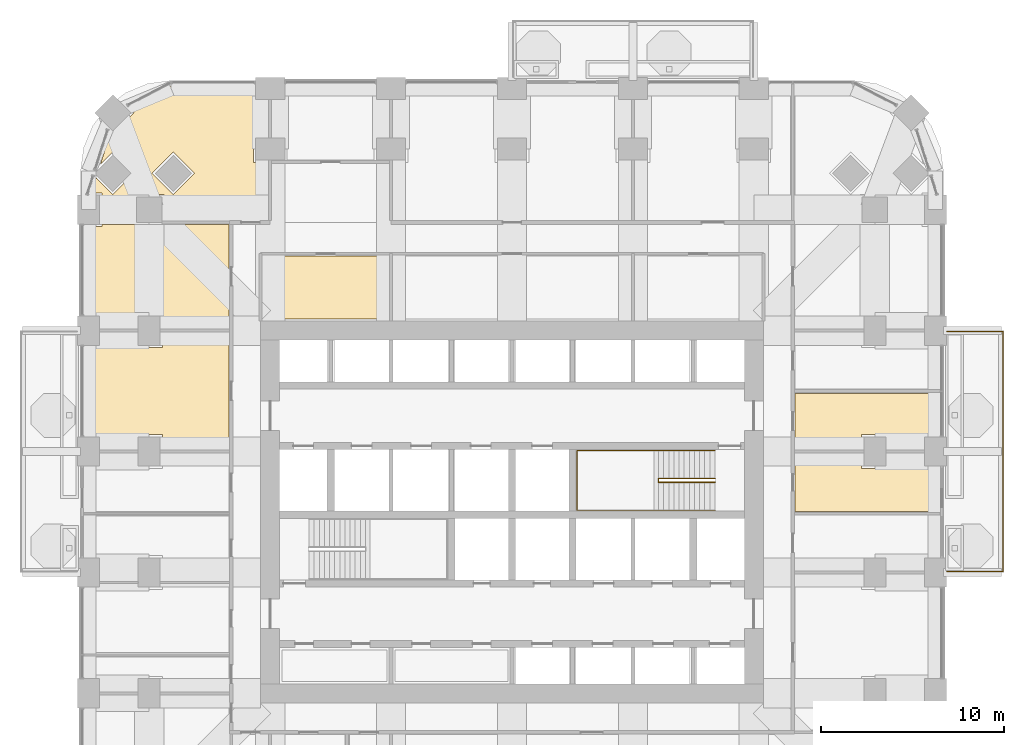
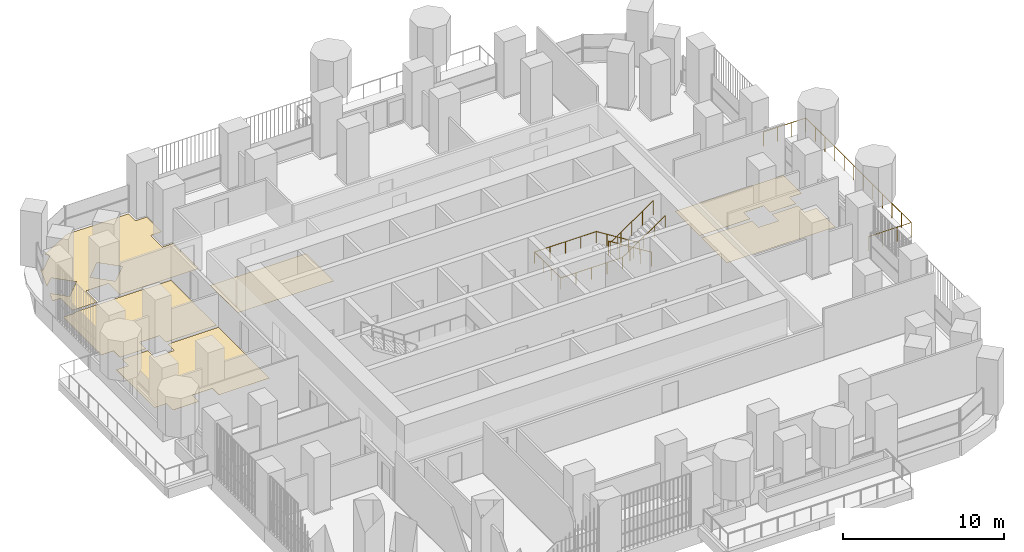
# One storey, part 20 of 22: 6 coverings, 3 railings.
"""IFC4 building model written with IfcOpenShell, lengths in metres."""

from ifc_helpers import new_model, si_unit, direction, frame, origin, place, context, subcontext, project, spatial, polyline, outline, extrude, material, layer, layer_set, type_object, element, save


model = new_model("IFC4")

# Units and contexts
model_context = context("Model", 3, precision=1e-05, world=origin(), true_north=direction((0.0, 1.0)))
body_context = subcontext(model_context, "Body", "Model", "MODEL_VIEW")
ifc_project = project(units=[si_unit("LENGTHUNIT", "METRE"), si_unit("AREAUNIT", "SQUARE_METRE"), si_unit("VOLUMEUNIT", "CUBIC_METRE"), si_unit("PLANEANGLEUNIT", "RADIAN"), si_unit("MASSUNIT", "GRAM", prefix="KILO")], contexts=[model_context])

# Site, building, storey
site_placement = place(None, origin())
site = spatial("IfcSite", under=ifc_project, at=site_placement, CompositionType="ELEMENT")
building_placement = place(site_placement, origin())
building = spatial("IfcBuilding", under=site, at=building_placement, Name="Cobogo Forest Laboratory Tower", CompositionType="ELEMENT")
storey_placement = place(building_placement, frame((0.0, 0.0, 145.199951171875)))
storey = spatial("IfcBuildingStorey", under=building, at=storey_placement, Name="L33", CompositionType="ELEMENT", Elevation=145.199951171875)

# Railing
ifc_material_1 = material(Name="Laminated glass balustrade", Category="glass")
railing_type_1 = type_object("IfcRailingType", Name="BG1 glass balustrade 1100", PredefinedType="GUARDRAIL", material=ifc_material_1)
railing_1_placement = place(storey_placement, frame((50.14990234375, 19.85009765625, 0.0)))
element("IfcRailing", 1, at=railing_1_placement, inside=storey, type_object=railing_type_1, Name="Balcony balustrade BAL-E1 L33", PredefinedType="GUARDRAIL", context=body_context, shape_type="SweptSolid", body=[
    extrude(outline(polyline([(0.022216796875, 0.00927734375), (0.00927734375, 0.022216796875), (-0.00927734375, 0.022216796875), (-0.022216796875, 0.00927734375), (-0.022216796875, -0.00927734375), (-0.00927734375, -0.022216796875), (0.00927734375, -0.022216796875), (0.022216796875, -0.00927734375), (0.022216796875, 0.00927734375)])), frame((0.0, 0.0, 1.077880859375), z_axis=(1.0, 0.0, 0.0), x_axis=(0.0, 1.0, 0.0)), (0.0, 0.0, 1.0), 3.050048828125),
    extrude(outline(polyline([(0.022216796875, 0.00927734375), (0.00927734375, 0.022216796875), (-0.00927734375, 0.022216796875), (-0.022216796875, 0.00927734375), (-0.022216796875, -0.00927734375), (-0.00927734375, -0.022216796875), (0.00927734375, -0.022216796875), (0.022216796875, -0.00927734375), (0.022216796875, 0.00927734375)])), frame((3.050048828125, 0.0, 1.077880859375), z_axis=(0.0, 1.0, 0.0), x_axis=(-1.0, 0.0, 0.0)), (0.0, 0.0, 1.0), 13.099853515625),
    extrude(outline(polyline([(0.022216796875, 0.00927734375), (0.00927734375, 0.022216796875), (-0.00927734375, 0.022216796875), (-0.022216796875, 0.00927734375), (-0.022216796875, -0.00927734375), (-0.00927734375, -0.022216796875), (0.00927734375, -0.022216796875), (0.022216796875, -0.00927734375), (0.022216796875, 0.00927734375)])), frame((3.050048828125, 13.099853515625, 1.077880859375), z_axis=(-1.0, 0.0, 0.0), x_axis=(0.0, -1.0, 0.0)), (0.0, 0.0, 1.0), 3.050048828125),
    extrude(outline(polyline([(0.019287109375, 0.008056640625), (0.008056640625, 0.019287109375), (-0.008056640625, 0.019287109375), (-0.019287109375, 0.008056640625), (-0.019287109375, -0.008056640625), (-0.008056640625, -0.019287109375), (0.008056640625, -0.019287109375), (0.019287109375, -0.008056640625), (0.019287109375, 0.008056640625)])), origin(), (0.0, 0.0, 1.0), 1.077880859375),
    extrude(outline(polyline([(0.019287109375, 0.008056640625), (0.008056640625, 0.019287109375), (-0.008056640625, 0.019287109375), (-0.019287109375, 0.008056640625), (-0.019287109375, -0.008056640625), (-0.008056640625, -0.019287109375), (0.008056640625, -0.019287109375), (0.019287109375, -0.008056640625), (0.019287109375, 0.008056640625)])), frame((1.0166015625, 0.0, 0.0)), (0.0, 0.0, 1.0), 1.077880859375),
    extrude(outline(polyline([(0.019287109375, 0.008056640625), (0.008056640625, 0.019287109375), (-0.008056640625, 0.019287109375), (-0.019287109375, 0.008056640625), (-0.019287109375, -0.008056640625), (-0.008056640625, -0.019287109375), (0.008056640625, -0.019287109375), (0.019287109375, -0.008056640625), (0.019287109375, 0.008056640625)])), frame((2.033447265625, 0.0, 0.0)), (0.0, 0.0, 1.0), 1.077880859375),
    extrude(outline(polyline([(0.019287109375, 0.008056640625), (0.008056640625, 0.019287109375), (-0.008056640625, 0.019287109375), (-0.019287109375, 0.008056640625), (-0.019287109375, -0.008056640625), (-0.008056640625, -0.019287109375), (0.008056640625, -0.019287109375), (0.019287109375, -0.008056640625), (0.019287109375, 0.008056640625)])), frame((3.050048828125, 0.0, 0.0)), (0.0, 0.0, 1.0), 1.077880859375),
    extrude(outline(polyline([(0.019287109375, 0.008056640625), (0.008056640625, 0.019287109375), (-0.008056640625, 0.019287109375), (-0.019287109375, 0.008056640625), (-0.019287109375, -0.008056640625), (-0.008056640625, -0.019287109375), (0.008056640625, -0.019287109375), (0.019287109375, -0.008056640625), (0.019287109375, 0.008056640625)])), frame((3.050048828125, 1.19091796875, 0.0)), (0.0, 0.0, 1.0), 1.077880859375),
    extrude(outline(polyline([(0.019287109375, 0.008056640625), (0.008056640625, 0.019287109375), (-0.008056640625, 0.019287109375), (-0.019287109375, 0.008056640625), (-0.019287109375, -0.008056640625), (-0.008056640625, -0.019287109375), (0.008056640625, -0.019287109375), (0.019287109375, -0.008056640625), (0.019287109375, 0.008056640625)])), frame((3.050048828125, 2.3818359375, 0.0)), (0.0, 0.0, 1.0), 1.077880859375),
    extrude(outline(polyline([(0.019287109375, 0.008056640625), (0.008056640625, 0.019287109375), (-0.008056640625, 0.019287109375), (-0.019287109375, 0.008056640625), (-0.019287109375, -0.008056640625), (-0.008056640625, -0.019287109375), (0.008056640625, -0.019287109375), (0.019287109375, -0.008056640625), (0.019287109375, 0.008056640625)])), frame((3.050048828125, 3.57275390625, 0.0)), (0.0, 0.0, 1.0), 1.077880859375),
    extrude(outline(polyline([(0.019287109375, 0.008056640625), (0.008056640625, 0.019287109375), (-0.008056640625, 0.019287109375), (-0.019287109375, 0.008056640625), (-0.019287109375, -0.008056640625), (-0.008056640625, -0.019287109375), (0.008056640625, -0.019287109375), (0.019287109375, -0.008056640625), (0.019287109375, 0.008056640625)])), frame((3.050048828125, 4.763671875, 0.0)), (0.0, 0.0, 1.0), 1.077880859375),
    extrude(outline(polyline([(0.019287109375, 0.008056640625), (0.008056640625, 0.019287109375), (-0.008056640625, 0.019287109375), (-0.019287109375, 0.008056640625), (-0.019287109375, -0.008056640625), (-0.008056640625, -0.019287109375), (0.008056640625, -0.019287109375), (0.019287109375, -0.008056640625), (0.019287109375, 0.008056640625)])), frame((3.050048828125, 5.95458984375, 0.0)), (0.0, 0.0, 1.0), 1.077880859375),
    extrude(outline(polyline([(0.019287109375, 0.008056640625), (0.008056640625, 0.019287109375), (-0.008056640625, 0.019287109375), (-0.019287109375, 0.008056640625), (-0.019287109375, -0.008056640625), (-0.008056640625, -0.019287109375), (0.008056640625, -0.019287109375), (0.019287109375, -0.008056640625), (0.019287109375, 0.008056640625)])), frame((3.050048828125, 7.145263671875, 0.0)), (0.0, 0.0, 1.0), 1.077880859375),
    extrude(outline(polyline([(0.019287109375, 0.008056640625), (0.008056640625, 0.019287109375), (-0.008056640625, 0.019287109375), (-0.019287109375, 0.008056640625), (-0.019287109375, -0.008056640625), (-0.008056640625, -0.019287109375), (0.008056640625, -0.019287109375), (0.019287109375, -0.008056640625), (0.019287109375, 0.008056640625)])), frame((3.050048828125, 8.336181640625, 0.0)), (0.0, 0.0, 1.0), 1.077880859375),
    extrude(outline(polyline([(0.019287109375, 0.008056640625), (0.008056640625, 0.019287109375), (-0.008056640625, 0.019287109375), (-0.019287109375, 0.008056640625), (-0.019287109375, -0.008056640625), (-0.008056640625, -0.019287109375), (0.008056640625, -0.019287109375), (0.019287109375, -0.008056640625), (0.019287109375, 0.008056640625)])), frame((3.050048828125, 9.527099609375, 0.0)), (0.0, 0.0, 1.0), 1.077880859375),
    extrude(outline(polyline([(0.019287109375, 0.008056640625), (0.008056640625, 0.019287109375), (-0.008056640625, 0.019287109375), (-0.019287109375, 0.008056640625), (-0.019287109375, -0.008056640625), (-0.008056640625, -0.019287109375), (0.008056640625, -0.019287109375), (0.019287109375, -0.008056640625), (0.019287109375, 0.008056640625)])), frame((3.050048828125, 10.718017578125, 0.0)), (0.0, 0.0, 1.0), 1.077880859375),
    extrude(outline(polyline([(0.019287109375, 0.008056640625), (0.008056640625, 0.019287109375), (-0.008056640625, 0.019287109375), (-0.019287109375, 0.008056640625), (-0.019287109375, -0.008056640625), (-0.008056640625, -0.019287109375), (0.008056640625, -0.019287109375), (0.019287109375, -0.008056640625), (0.019287109375, 0.008056640625)])), frame((3.050048828125, 11.908935546875, 0.0)), (0.0, 0.0, 1.0), 1.077880859375),
    extrude(outline(polyline([(0.019287109375, 0.008056640625), (0.008056640625, 0.019287109375), (-0.008056640625, 0.019287109375), (-0.019287109375, 0.008056640625), (-0.019287109375, -0.008056640625), (-0.008056640625, -0.019287109375), (0.008056640625, -0.019287109375), (0.019287109375, -0.008056640625), (0.019287109375, 0.008056640625)])), frame((3.050048828125, 13.099853515625, 0.0)), (0.0, 0.0, 1.0), 1.077880859375),
    extrude(outline(polyline([(0.019287109375, 0.008056640625), (0.008056640625, 0.019287109375), (-0.008056640625, 0.019287109375), (-0.019287109375, 0.008056640625), (-0.019287109375, -0.008056640625), (-0.008056640625, -0.019287109375), (0.008056640625, -0.019287109375), (0.019287109375, -0.008056640625), (0.019287109375, 0.008056640625)])), frame((2.033447265625, 13.099853515625, 0.0)), (0.0, 0.0, 1.0), 1.077880859375),
    extrude(outline(polyline([(0.019287109375, 0.008056640625), (0.008056640625, 0.019287109375), (-0.008056640625, 0.019287109375), (-0.019287109375, 0.008056640625), (-0.019287109375, -0.008056640625), (-0.008056640625, -0.019287109375), (0.008056640625, -0.019287109375), (0.019287109375, -0.008056640625), (0.019287109375, 0.008056640625)])), frame((1.0166015625, 13.099853515625, 0.0)), (0.0, 0.0, 1.0), 1.077880859375),
    extrude(outline(polyline([(0.019287109375, 0.008056640625), (0.008056640625, 0.019287109375), (-0.008056640625, 0.019287109375), (-0.019287109375, 0.008056640625), (-0.019287109375, -0.008056640625), (-0.008056640625, -0.019287109375), (0.008056640625, -0.019287109375), (0.019287109375, -0.008056640625), (0.019287109375, 0.008056640625)])), frame((0.0, 13.099853515625, 0.0)), (0.0, 0.0, 1.0), 1.077880859375),
])

# Coverings
ifc_material_2 = material(Name="Carpet tile on raised access floor", Category="flooring")
ifc_layer_1 = layer(ifc_material_2, 0.008056640625)
ifc_layer_set_1 = layer_set([ifc_layer_1], Name="CT1 carpet tile floor 8")
covering_type_1 = type_object("IfcCoveringType", Name="CT1 carpet tile floor 8", PredefinedType="FLOORING", material=ifc_layer_set_1)
covering_1_placement = place(storey_placement, origin())
element("IfcCovering", 2, at=covering_1_placement, inside=storey, type_object=covering_type_1, Name="Carpet floor L33-12", PredefinedType="FLOORING", context=body_context, shape_type="SweptSolid", body=[
    extrude(outline(polyline([(41.844970703125, 29.580078125), (49.64990234375, 29.580078125), (49.64990234375, 27.320068359375), (48.780029296875, 27.320068359375), (48.780029296875, 26.52001953125), (46.919921875, 26.52001953125), (46.919921875, 27.320068359375), (45.47998046875, 27.320068359375), (45.47998046875, 26.52001953125), (41.844970703125, 26.52001953125), (41.844970703125, 29.580078125)])), origin(), (0.0, 0.0, 1.0), 0.008056640625),
])
covering_2_placement = place(storey_placement, origin())
element("IfcCovering", 3, at=covering_2_placement, inside=storey, type_object=covering_type_1, Name="Carpet floor L33-24", PredefinedType="FLOORING", context=body_context, shape_type="SweptSolid", body=[
    extrude(outline(polyline([(10.955078125, 26.52001953125), (7.320068359375, 26.52001953125), (7.320068359375, 27.320068359375), (5.8798828125, 27.320068359375), (5.8798828125, 26.52001953125), (4.02001953125, 26.52001953125), (4.02001953125, 27.320068359375), (3.14990234375, 27.320068359375), (3.14990234375, 32.080078125), (4.02001953125, 32.080078125), (4.02001953125, 32.8798828125), (5.8798828125, 32.8798828125), (5.8798828125, 32.080078125), (7.320068359375, 32.080078125), (7.320068359375, 32.8798828125), (10.955078125, 32.8798828125), (10.955078125, 26.52001953125)])), origin(), (0.0, 0.0, 1.0), 0.008056640625),
])
covering_3_placement = place(storey_placement, origin())
element("IfcCovering", 4, at=covering_3_placement, inside=storey, type_object=covering_type_1, Name="Carpet floor L33-25", PredefinedType="FLOORING", context=body_context, shape_type="SweptSolid", body=[
    extrude(outline(polyline([(4.02001953125, 38.780029296875), (10.955078125, 38.780029296875), (10.955078125, 33.1201171875), (7.320068359375, 33.1201171875), (7.320068359375, 33.919921875), (5.8798828125, 33.919921875), (5.8798828125, 33.1201171875), (4.02001953125, 33.1201171875), (4.02001953125, 33.919921875), (3.14990234375, 33.919921875), (3.14990234375, 38.679931640625), (4.02001953125, 38.679931640625), (4.02001953125, 38.780029296875)])), origin(), (0.0, 0.0, 1.0), 0.008056640625),
])

# Railings
ifc_material_3 = material(Name="Steel balustrade", Category="steel")
railing_type_2 = type_object("IfcRailingType", Name="GR stair guard 1100", PredefinedType="GUARDRAIL", material=ifc_material_3)
railing_2_placement = place(storey_placement, frame((37.47509765625, 24.929931640625, 0.175048828125)))
element("IfcRailing", 5, at=railing_2_placement, inside=storey, type_object=railing_type_2, Name="Stair guard ST2 L33", PredefinedType="GUARDRAIL", context=body_context, shape_type="SweptSolid", body=[
    extrude(outline(polyline([(0.022216796875, 0.00927734375), (0.00927734375, 0.022216796875), (-0.00927734375, 0.022216796875), (-0.022216796875, 0.00927734375), (-0.022216796875, -0.00927734375), (-0.00927734375, -0.022216796875), (0.00927734375, -0.022216796875), (0.022216796875, -0.00927734375), (0.022216796875, 0.00927734375)])), frame((0.0, 0.0, 1.077880859375), z_axis=(-0.847998304005, 0.0, 0.529998940003), x_axis=(0.0, -1.0, 0.0)), (0.0, 0.0, 1.0), 3.632080078125),
    extrude(outline(polyline([(0.022216796875, 0.00927734375), (0.00927734375, 0.022216796875), (-0.00927734375, 0.022216796875), (-0.022216796875, 0.00927734375), (-0.022216796875, -0.00927734375), (-0.00927734375, -0.022216796875), (0.00927734375, -0.022216796875), (0.022216796875, -0.00927734375), (0.022216796875, 0.00927734375)])), frame((-3.080078125, 0.0, 3.0029296875), z_axis=(0.0, -1.0, 0.0), x_axis=(1.0, 0.0, 0.0)), (0.0, 0.0, 1.0), 0.2099609375),
    extrude(outline(polyline([(0.022216796875, 0.00927734375), (0.00927734375, 0.022216796875), (-0.00927734375, 0.022216796875), (-0.022216796875, 0.00927734375), (-0.022216796875, -0.00927734375), (-0.00927734375, -0.022216796875), (0.00927734375, -0.022216796875), (0.022216796875, -0.00927734375), (0.022216796875, 0.00927734375)])), frame((-3.080078125, -0.2099609375, 3.0029296875), z_axis=(0.826252282691, 0.0, 0.563300244406), x_axis=(0.0, 1.0, 0.0)), (0.0, 0.0, 1.0), 3.727783203125),
    extrude(outline(polyline([(0.019287109375, 0.008056640625), (0.008056640625, 0.019287109375), (-0.008056640625, 0.019287109375), (-0.019287109375, 0.008056640625), (-0.019287109375, -0.008056640625), (-0.008056640625, -0.019287109375), (0.008056640625, -0.019287109375), (0.019287109375, -0.008056640625), (0.019287109375, 0.008056640625)])), origin(), (0.0, 0.0, 1.0), 1.077880859375),
    extrude(outline(polyline([(0.019287109375, 0.008056640625), (0.008056640625, 0.019287109375), (-0.008056640625, 0.019287109375), (-0.019287109375, 0.008056640625), (-0.019287109375, -0.008056640625), (-0.008056640625, -0.019287109375), (0.008056640625, -0.019287109375), (0.019287109375, -0.008056640625), (0.019287109375, 0.008056640625)])), frame((-0.77001953125, 0.0, 0.481201171875)), (0.0, 0.0, 1.0), 1.077880859375),
    extrude(outline(polyline([(0.019287109375, 0.008056640625), (0.008056640625, 0.019287109375), (-0.008056640625, 0.019287109375), (-0.019287109375, 0.008056640625), (-0.019287109375, -0.008056640625), (-0.008056640625, -0.019287109375), (0.008056640625, -0.019287109375), (0.019287109375, -0.008056640625), (0.019287109375, 0.008056640625)])), frame((-1.5400390625, 0.0, 0.96240234375)), (0.0, 0.0, 1.0), 1.077880859375),
    extrude(outline(polyline([(0.019287109375, 0.008056640625), (0.008056640625, 0.019287109375), (-0.008056640625, 0.019287109375), (-0.019287109375, 0.008056640625), (-0.019287109375, -0.008056640625), (-0.008056640625, -0.019287109375), (0.008056640625, -0.019287109375), (0.019287109375, -0.008056640625), (0.019287109375, 0.008056640625)])), frame((-2.31005859375, 0.0, 1.44384765625)), (0.0, 0.0, 1.0), 1.077880859375),
    extrude(outline(polyline([(0.019287109375, 0.008056640625), (0.008056640625, 0.019287109375), (-0.008056640625, 0.019287109375), (-0.019287109375, 0.008056640625), (-0.019287109375, -0.008056640625), (-0.008056640625, -0.019287109375), (0.008056640625, -0.019287109375), (0.019287109375, -0.008056640625), (0.019287109375, 0.008056640625)])), frame((-3.080078125, 0.0, 1.925048828125)), (0.0, 0.0, 1.0), 1.077880859375),
    extrude(outline(polyline([(0.019287109375, 0.008056640625), (0.008056640625, 0.019287109375), (-0.008056640625, 0.019287109375), (-0.019287109375, 0.008056640625), (-0.019287109375, -0.008056640625), (-0.008056640625, -0.019287109375), (0.008056640625, -0.019287109375), (0.019287109375, -0.008056640625), (0.019287109375, 0.008056640625)])), frame((-3.080078125, -0.2099609375, 1.925048828125)), (0.0, 0.0, 1.0), 1.077880859375),
    extrude(outline(polyline([(0.019287109375, 0.008056640625), (0.008056640625, 0.019287109375), (-0.008056640625, 0.019287109375), (-0.019287109375, 0.008056640625), (-0.019287109375, -0.008056640625), (-0.008056640625, -0.019287109375), (0.008056640625, -0.019287109375), (0.019287109375, -0.008056640625), (0.019287109375, 0.008056640625)])), frame((-2.31005859375, -0.2099609375, 2.449951171875)), (0.0, 0.0, 1.0), 1.077880859375),
    extrude(outline(polyline([(0.019287109375, 0.008056640625), (0.008056640625, 0.019287109375), (-0.008056640625, 0.019287109375), (-0.019287109375, 0.008056640625), (-0.019287109375, -0.008056640625), (-0.008056640625, -0.019287109375), (0.008056640625, -0.019287109375), (0.019287109375, -0.008056640625), (0.019287109375, 0.008056640625)])), frame((-1.5400390625, -0.2099609375, 2.97509765625)), (0.0, 0.0, 1.0), 1.077880859375),
    extrude(outline(polyline([(0.019287109375, 0.008056640625), (0.008056640625, 0.019287109375), (-0.008056640625, 0.019287109375), (-0.019287109375, 0.008056640625), (-0.019287109375, -0.008056640625), (-0.008056640625, -0.019287109375), (0.008056640625, -0.019287109375), (0.019287109375, -0.008056640625), (0.019287109375, 0.008056640625)])), frame((-0.77001953125, -0.2099609375, 3.5)), (0.0, 0.0, 1.0), 1.077880859375),
    extrude(outline(polyline([(0.019287109375, 0.008056640625), (0.008056640625, 0.019287109375), (-0.008056640625, 0.019287109375), (-0.019287109375, 0.008056640625), (-0.019287109375, -0.008056640625), (-0.008056640625, -0.019287109375), (0.008056640625, -0.019287109375), (0.019287109375, -0.008056640625), (0.019287109375, 0.008056640625)])), frame((0.0, -0.2099609375, 4.02490234375)), (0.0, 0.0, 1.0), 1.077880859375),
])
ifc_material_4 = material(Name="Stainless steel handrail", Category="steel")
railing_type_3 = type_object("IfcRailingType", Name="HR handrail 900", PredefinedType="HANDRAIL", material=ifc_material_4)
railing_3_placement = place(storey_placement, frame((37.47509765625, 26.449951171875, 0.175048828125)))
element("IfcRailing", 6, at=railing_3_placement, inside=storey, type_object=railing_type_3, Name="Stair handrail ST2 L33", PredefinedType="HANDRAIL", context=body_context, shape_type="SweptSolid", body=[
    extrude(outline(polyline([(0.022216796875, 0.00927734375), (0.00927734375, 0.022216796875), (-0.00927734375, 0.022216796875), (-0.022216796875, 0.00927734375), (-0.022216796875, -0.00927734375), (-0.00927734375, -0.022216796875), (0.00927734375, -0.022216796875), (0.022216796875, -0.00927734375), (0.022216796875, 0.00927734375)])), frame((0.0, 0.0, 0.877685546875), z_axis=(-0.847998304005, 0.0, 0.529998940003), x_axis=(0.0, -1.0, 0.0)), (0.0, 0.0, 1.0), 3.632080078125),
    extrude(outline(polyline([(0.022216796875, 0.00927734375), (0.00927734375, 0.022216796875), (-0.00927734375, 0.022216796875), (-0.022216796875, 0.00927734375), (-0.022216796875, -0.00927734375), (-0.00927734375, -0.022216796875), (0.00927734375, -0.022216796875), (0.022216796875, -0.00927734375), (0.022216796875, 0.00927734375)])), frame((-3.080078125, 0.0, 2.802734375), z_axis=(-1.0, 0.0, 0.0), x_axis=(0.0, -1.0, 0.0)), (0.0, 0.0, 1.0), 4.445068359375),
    extrude(outline(polyline([(0.022216796875, 0.00927734375), (0.00927734375, 0.022216796875), (-0.00927734375, 0.022216796875), (-0.022216796875, 0.00927734375), (-0.022216796875, -0.00927734375), (-0.00927734375, -0.022216796875), (0.00927734375, -0.022216796875), (0.022216796875, -0.00927734375), (0.022216796875, 0.00927734375)])), frame((-7.525146484375, 0.0, 2.802734375), z_axis=(0.0, -1.0, 0.0), x_axis=(1.0, 0.0, 0.0)), (0.0, 0.0, 1.0), 3.25),
    extrude(outline(polyline([(0.022216796875, 0.00927734375), (0.00927734375, 0.022216796875), (-0.00927734375, 0.022216796875), (-0.022216796875, 0.00927734375), (-0.022216796875, -0.00927734375), (-0.00927734375, -0.022216796875), (0.00927734375, -0.022216796875), (0.022216796875, -0.00927734375), (0.022216796875, 0.00927734375)])), frame((-7.525146484375, -3.25, 2.802734375), z_axis=(1.0, 0.0, 0.0), x_axis=(0.0, 1.0, 0.0)), (0.0, 0.0, 1.0), 4.445068359375),
    extrude(outline(polyline([(0.022216796875, 0.00927734375), (0.00927734375, 0.022216796875), (-0.00927734375, 0.022216796875), (-0.022216796875, 0.00927734375), (-0.022216796875, -0.00927734375), (-0.00927734375, -0.022216796875), (0.00927734375, -0.022216796875), (0.022216796875, -0.00927734375), (0.022216796875, 0.00927734375)])), frame((-3.080078125, -3.25, 2.802734375), z_axis=(0.826252282691, 0.0, 0.563300244406), x_axis=(0.0, 1.0, 0.0)), (0.0, 0.0, 1.0), 3.727783203125),
    extrude(outline(polyline([(0.019287109375, 0.008056640625), (0.008056640625, 0.019287109375), (-0.008056640625, 0.019287109375), (-0.019287109375, 0.008056640625), (-0.019287109375, -0.008056640625), (-0.008056640625, -0.019287109375), (0.008056640625, -0.019287109375), (0.019287109375, -0.008056640625), (0.019287109375, 0.008056640625)])), origin(), (0.0, 0.0, 1.0), 0.877685546875),
    extrude(outline(polyline([(0.019287109375, 0.008056640625), (0.008056640625, 0.019287109375), (-0.008056640625, 0.019287109375), (-0.019287109375, 0.008056640625), (-0.019287109375, -0.008056640625), (-0.008056640625, -0.019287109375), (0.008056640625, -0.019287109375), (0.019287109375, -0.008056640625), (0.019287109375, 0.008056640625)])), frame((-0.77001953125, 0.0, 0.481201171875)), (0.0, 0.0, 1.0), 0.877685546875),
    extrude(outline(polyline([(0.019287109375, 0.008056640625), (0.008056640625, 0.019287109375), (-0.008056640625, 0.019287109375), (-0.019287109375, 0.008056640625), (-0.019287109375, -0.008056640625), (-0.008056640625, -0.019287109375), (0.008056640625, -0.019287109375), (0.019287109375, -0.008056640625), (0.019287109375, 0.008056640625)])), frame((-1.5400390625, 0.0, 0.96240234375)), (0.0, 0.0, 1.0), 0.877685546875),
    extrude(outline(polyline([(0.019287109375, 0.008056640625), (0.008056640625, 0.019287109375), (-0.008056640625, 0.019287109375), (-0.019287109375, 0.008056640625), (-0.019287109375, -0.008056640625), (-0.008056640625, -0.019287109375), (0.008056640625, -0.019287109375), (0.019287109375, -0.008056640625), (0.019287109375, 0.008056640625)])), frame((-2.31005859375, 0.0, 1.44384765625)), (0.0, 0.0, 1.0), 0.877685546875),
    extrude(outline(polyline([(0.019287109375, 0.008056640625), (0.008056640625, 0.019287109375), (-0.008056640625, 0.019287109375), (-0.019287109375, 0.008056640625), (-0.019287109375, -0.008056640625), (-0.008056640625, -0.019287109375), (0.008056640625, -0.019287109375), (0.019287109375, -0.008056640625), (0.019287109375, 0.008056640625)])), frame((-3.080078125, 0.0, 1.925048828125)), (0.0, 0.0, 1.0), 0.877685546875),
    extrude(outline(polyline([(0.019287109375, 0.008056640625), (0.008056640625, 0.019287109375), (-0.008056640625, 0.019287109375), (-0.019287109375, 0.008056640625), (-0.019287109375, -0.008056640625), (-0.008056640625, -0.019287109375), (0.008056640625, -0.019287109375), (0.019287109375, -0.008056640625), (0.019287109375, 0.008056640625)])), frame((-4.19140625, 0.0, 1.925048828125)), (0.0, 0.0, 1.0), 0.877685546875),
    extrude(outline(polyline([(0.019287109375, 0.008056640625), (0.008056640625, 0.019287109375), (-0.008056640625, 0.019287109375), (-0.019287109375, 0.008056640625), (-0.019287109375, -0.008056640625), (-0.008056640625, -0.019287109375), (0.008056640625, -0.019287109375), (0.019287109375, -0.008056640625), (0.019287109375, 0.008056640625)])), frame((-5.302734375, 0.0, 1.925048828125)), (0.0, 0.0, 1.0), 0.877685546875),
    extrude(outline(polyline([(0.019287109375, 0.008056640625), (0.008056640625, 0.019287109375), (-0.008056640625, 0.019287109375), (-0.019287109375, 0.008056640625), (-0.019287109375, -0.008056640625), (-0.008056640625, -0.019287109375), (0.008056640625, -0.019287109375), (0.019287109375, -0.008056640625), (0.019287109375, 0.008056640625)])), frame((-6.413818359375, 0.0, 1.925048828125)), (0.0, 0.0, 1.0), 0.877685546875),
    extrude(outline(polyline([(0.019287109375, 0.008056640625), (0.008056640625, 0.019287109375), (-0.008056640625, 0.019287109375), (-0.019287109375, 0.008056640625), (-0.019287109375, -0.008056640625), (-0.008056640625, -0.019287109375), (0.008056640625, -0.019287109375), (0.019287109375, -0.008056640625), (0.019287109375, 0.008056640625)])), frame((-7.525146484375, 0.0, 1.925048828125)), (0.0, 0.0, 1.0), 0.877685546875),
    extrude(outline(polyline([(0.019287109375, 0.008056640625), (0.008056640625, 0.019287109375), (-0.008056640625, 0.019287109375), (-0.019287109375, 0.008056640625), (-0.019287109375, -0.008056640625), (-0.008056640625, -0.019287109375), (0.008056640625, -0.019287109375), (0.019287109375, -0.008056640625), (0.019287109375, 0.008056640625)])), frame((-7.525146484375, -1.083251953125, 1.925048828125)), (0.0, 0.0, 1.0), 0.877685546875),
    extrude(outline(polyline([(0.019287109375, 0.008056640625), (0.008056640625, 0.019287109375), (-0.008056640625, 0.019287109375), (-0.019287109375, 0.008056640625), (-0.019287109375, -0.008056640625), (-0.008056640625, -0.019287109375), (0.008056640625, -0.019287109375), (0.019287109375, -0.008056640625), (0.019287109375, 0.008056640625)])), frame((-7.525146484375, -2.166748046875, 1.925048828125)), (0.0, 0.0, 1.0), 0.877685546875),
    extrude(outline(polyline([(0.019287109375, 0.008056640625), (0.008056640625, 0.019287109375), (-0.008056640625, 0.019287109375), (-0.019287109375, 0.008056640625), (-0.019287109375, -0.008056640625), (-0.008056640625, -0.019287109375), (0.008056640625, -0.019287109375), (0.019287109375, -0.008056640625), (0.019287109375, 0.008056640625)])), frame((-7.525146484375, -3.25, 1.925048828125)), (0.0, 0.0, 1.0), 0.877685546875),
    extrude(outline(polyline([(0.019287109375, 0.008056640625), (0.008056640625, 0.019287109375), (-0.008056640625, 0.019287109375), (-0.019287109375, 0.008056640625), (-0.019287109375, -0.008056640625), (-0.008056640625, -0.019287109375), (0.008056640625, -0.019287109375), (0.019287109375, -0.008056640625), (0.019287109375, 0.008056640625)])), frame((-6.413818359375, -3.25, 1.925048828125)), (0.0, 0.0, 1.0), 0.877685546875),
    extrude(outline(polyline([(0.019287109375, 0.008056640625), (0.008056640625, 0.019287109375), (-0.008056640625, 0.019287109375), (-0.019287109375, 0.008056640625), (-0.019287109375, -0.008056640625), (-0.008056640625, -0.019287109375), (0.008056640625, -0.019287109375), (0.019287109375, -0.008056640625), (0.019287109375, 0.008056640625)])), frame((-5.302734375, -3.25, 1.925048828125)), (0.0, 0.0, 1.0), 0.877685546875),
    extrude(outline(polyline([(0.019287109375, 0.008056640625), (0.008056640625, 0.019287109375), (-0.008056640625, 0.019287109375), (-0.019287109375, 0.008056640625), (-0.019287109375, -0.008056640625), (-0.008056640625, -0.019287109375), (0.008056640625, -0.019287109375), (0.019287109375, -0.008056640625), (0.019287109375, 0.008056640625)])), frame((-4.19140625, -3.25, 1.925048828125)), (0.0, 0.0, 1.0), 0.877685546875),
    extrude(outline(polyline([(0.019287109375, 0.008056640625), (0.008056640625, 0.019287109375), (-0.008056640625, 0.019287109375), (-0.019287109375, 0.008056640625), (-0.019287109375, -0.008056640625), (-0.008056640625, -0.019287109375), (0.008056640625, -0.019287109375), (0.019287109375, -0.008056640625), (0.019287109375, 0.008056640625)])), frame((-3.080078125, -3.25, 1.925048828125)), (0.0, 0.0, 1.0), 0.877685546875),
    extrude(outline(polyline([(0.019287109375, 0.008056640625), (0.008056640625, 0.019287109375), (-0.008056640625, 0.019287109375), (-0.019287109375, 0.008056640625), (-0.019287109375, -0.008056640625), (-0.008056640625, -0.019287109375), (0.008056640625, -0.019287109375), (0.019287109375, -0.008056640625), (0.019287109375, 0.008056640625)])), frame((-2.31005859375, -3.25, 2.449951171875)), (0.0, 0.0, 1.0), 0.877685546875),
    extrude(outline(polyline([(0.019287109375, 0.008056640625), (0.008056640625, 0.019287109375), (-0.008056640625, 0.019287109375), (-0.019287109375, 0.008056640625), (-0.019287109375, -0.008056640625), (-0.008056640625, -0.019287109375), (0.008056640625, -0.019287109375), (0.019287109375, -0.008056640625), (0.019287109375, 0.008056640625)])), frame((-1.5400390625, -3.25, 2.97509765625)), (0.0, 0.0, 1.0), 0.877685546875),
    extrude(outline(polyline([(0.019287109375, 0.008056640625), (0.008056640625, 0.019287109375), (-0.008056640625, 0.019287109375), (-0.019287109375, 0.008056640625), (-0.019287109375, -0.008056640625), (-0.008056640625, -0.019287109375), (0.008056640625, -0.019287109375), (0.019287109375, -0.008056640625), (0.019287109375, 0.008056640625)])), frame((-0.77001953125, -3.25, 3.5)), (0.0, 0.0, 1.0), 0.877685546875),
    extrude(outline(polyline([(0.019287109375, 0.008056640625), (0.008056640625, 0.019287109375), (-0.008056640625, 0.019287109375), (-0.019287109375, 0.008056640625), (-0.019287109375, -0.008056640625), (-0.008056640625, -0.019287109375), (0.008056640625, -0.019287109375), (0.019287109375, -0.008056640625), (0.019287109375, 0.008056640625)])), frame((0.0, -3.25, 4.02490234375)), (0.0, 0.0, 1.0), 0.877685546875),
])

# Coverings
ifc_material_5 = material(Name="Epoxy resin flooring", Category="flooring")
ifc_layer_2 = layer(ifc_material_5, 0.00390625)
ifc_layer_set_2 = layer_set([ifc_layer_2], Name="LF1 epoxy laboratory floor 4")
covering_type_2 = type_object("IfcCoveringType", Name="LF1 epoxy laboratory floor 4", PredefinedType="FLOORING", material=ifc_layer_set_2)
covering_4_placement = place(storey_placement, origin())
element("IfcCovering", 7, at=covering_4_placement, inside=storey, type_object=covering_type_2, Name="Epoxy laboratory floor L33-01", PredefinedType="FLOORING", context=body_context, shape_type="SweptSolid", body=[
    extrude(outline(polyline([(19.679931640625, 33.64501953125), (12.794921875, 33.64501953125), (12.794921875, 37.080078125), (19.679931640625, 37.080078125), (19.679931640625, 33.64501953125)])), origin(), (0.0, 0.0, 1.0), 0.004150390625),
])
covering_5_placement = place(storey_placement, origin())
element("IfcCovering", 8, at=covering_5_placement, inside=storey, type_object=covering_type_2, Name="Epoxy laboratory floor L33-15", PredefinedType="FLOORING", context=body_context, shape_type="SweptSolid", body=[
    extrude(outline(polyline([(7.419921875, 39.02001953125), (7.419921875, 40.419921875), (5.780029296875, 40.419921875), (5.780029296875, 39.02001953125), (4.02001953125, 39.02001953125), (4.02001953125, 40.52001953125), (3.4501953125, 40.52001953125), (3.70703125, 41.333251953125), (4.617919921875, 40.42236328125), (5.777587890625, 41.58203125), (4.617919921875, 42.74169921875), (3.936767578125, 42.060302734375), (4.4990234375, 43.84130859375), (4.617919921875, 43.722412109375), (5.777587890625, 44.882080078125), (5.527099609375, 45.132568359375), (7.84912109375, 46.35009765625), (12.280029296875, 46.35009765625), (12.280029296875, 45.47998046875), (13.080078125, 45.47998046875), (13.080078125, 43.6201171875), (12.280029296875, 43.6201171875), (12.280029296875, 42.179931640625), (13.080078125, 42.179931640625), (13.080078125, 39.02001953125), (7.419921875, 39.02001953125)]), holes=[polyline([(6.75830078125, 41.58203125), (7.91796875, 40.42236328125), (9.07763671875, 41.58203125), (7.91796875, 42.74169921875), (6.75830078125, 41.58203125)])]), origin(), (0.0, 0.0, 1.0), 0.004150390625),
])
ifc_material_6 = material(Name="Static-dissipative vinyl flooring", Category="flooring")
ifc_layer_3 = layer(ifc_material_6, 0.0029296875)
ifc_layer_set_3 = layer_set([ifc_layer_3], Name="SD1 static-dissipative vinyl floor 3")
covering_type_3 = type_object("IfcCoveringType", Name="SD1 static-dissipative vinyl floor 3", PredefinedType="FLOORING", material=ifc_layer_set_3)
covering_6_placement = place(storey_placement, origin())
element("IfcCovering", 9, at=covering_6_placement, inside=storey, type_object=covering_type_3, Name="Static-dissipative floor L33-11", PredefinedType="FLOORING", context=body_context, shape_type="SweptSolid", body=[
    extrude(outline(polyline([(41.844970703125, 26.280029296875), (45.47998046875, 26.280029296875), (45.47998046875, 25.47998046875), (46.919921875, 25.47998046875), (46.919921875, 26.280029296875), (48.780029296875, 26.280029296875), (48.780029296875, 25.47998046875), (49.64990234375, 25.47998046875), (49.64990234375, 23.1201171875), (41.844970703125, 23.1201171875), (41.844970703125, 26.280029296875)])), origin(), (0.0, 0.0, 1.0), 0.0029296875),
])

save(model, "model.ifc")
